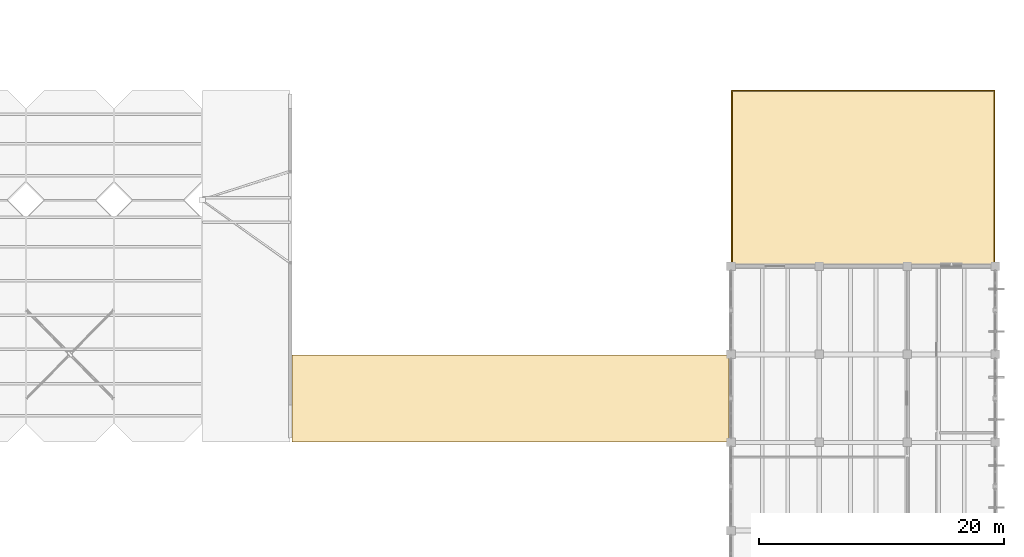
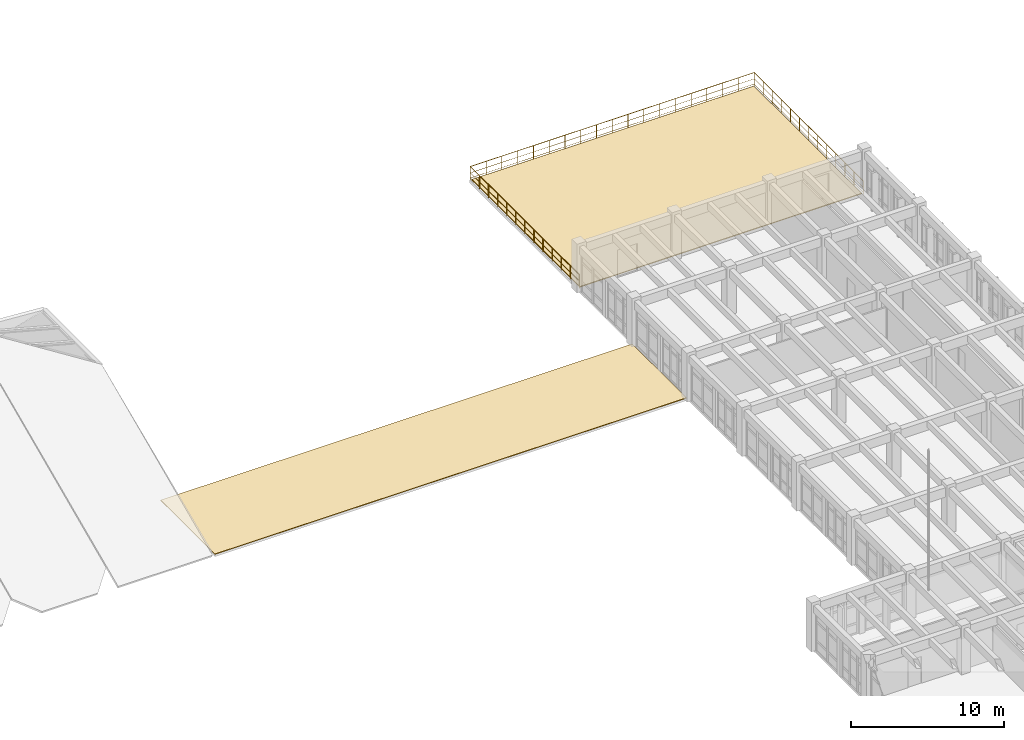
# One storey, part 54 of 54: 3 railings, 2 coverings.
"""IFC4 building model written with IfcOpenShell, lengths in metres."""

from ifc_helpers import new_model, si_unit, direction, frame, origin, origin_2d, place, context, subcontext, project, spatial, polyline, circle, outline, extrude, material, layer, layer_set, type_object, element, save


model = new_model("IFC4")

# Units and contexts
model_context = context("Model", 3, precision=1e-05, world=origin(), true_north=direction((0.0, 1.0)))
body_context = subcontext(model_context, "Body", "Model", "MODEL_VIEW")
ifc_project = project(units=[si_unit("LENGTHUNIT", "METRE"), si_unit("AREAUNIT", "SQUARE_METRE"), si_unit("VOLUMEUNIT", "CUBIC_METRE"), si_unit("PLANEANGLEUNIT", "RADIAN"), si_unit("MASSUNIT", "GRAM", prefix="KILO")], contexts=[model_context])

# Site, building, storey
site_placement = place(None, origin())
site = spatial("IfcSite", under=ifc_project, at=site_placement, CompositionType="ELEMENT")
building_placement = place(site_placement, origin())
building = spatial("IfcBuilding", under=site, at=building_placement, Name="Koriwan Promenade Central Fire Station", CompositionType="ELEMENT")
storey_placement = place(building_placement, frame((0.0, 0.0, 9.60009765625)))
storey = spatial("IfcBuildingStorey", under=building, at=storey_placement, Name="L02", CompositionType="ELEMENT", Elevation=9.60009765625)

# Coverings
ifc_material_1 = material(Name="Waterproofed xerophytic roof-garden drainage build-up", Category="membrane")
ifc_layer_1 = layer(ifc_material_1, 0.06005859375, Name="Waterproofed xerophytic roof-garden drainage build-up")
ifc_layer_set_1 = layer_set([ifc_layer_1], Name="Waterproofed xerophytic roof-garden drainage build-up")
covering_type_1 = type_object("IfcCoveringType", Name="RoofCovering_Garden", PredefinedType="ROOFING", material=ifc_layer_set_1)
covering_1_placement = place(storey_placement, origin())
element("IfcCovering", 1, at=covering_1_placement, inside=storey, type_object=covering_type_1, Name="North Headquarters Roof Garden waterproofed garden build-up", PredefinedType="ROOFING", context=body_context, shape_type="SweptSolid", body=[
    extrude(outline(polyline([(172.679931640625, 57.719970703125), (151.320068359375, 57.719970703125), (151.320068359375, 71.8798828125), (172.679931640625, 71.8798828125), (172.679931640625, 57.719970703125)])), origin(), (0.0, 0.0, 1.0), 0.059814453125),
])
ifc_material_2 = material(Name="Standing-seam terracotta-red coated aluminium roofing", Category="masonry")
ifc_layer_2 = layer(ifc_material_2, 0.044921875, Name="Standing-seam terracotta-red coated aluminium roofing")
ifc_layer_set_2 = layer_set([ifc_layer_2], Name="Standing-seam terracotta-red coated aluminium roofing")
covering_type_2 = type_object("IfcCoveringType", Name="RoofCovering_Terracotta", PredefinedType="ROOFING", material=ifc_layer_set_2)
covering_2_placement = place(storey_placement, origin())
element("IfcCovering", 2, at=covering_2_placement, inside=storey, type_object=covering_type_2, Name="East Transfer Link Bridge roof slab standing-seam covering", PredefinedType="ROOFING", context=body_context, shape_type="SweptSolid", body=[
    extrude(outline(polyline([(115.35009765625, 43.239990234375), (151.050048828125, 43.239990234375), (151.050048828125, 50.360107421875), (115.35009765625, 50.360107421875), (115.35009765625, 43.239990234375)])), origin(), (0.0, 0.0, 1.0), 0.044921875),
])

# Railings
ifc_material_3 = material(Name="Steel ASTM A500 Grade C", Category="steel")
ifc_layer_3 = layer(ifc_material_3, 0.06005859375, Name="Steel ASTM A500 Grade C")
ifc_layer_set_3 = layer_set([ifc_layer_3], Name="Steel ASTM A500 Grade C")
railing_type = type_object("IfcRailingType", Name="TerraceGuard_1100", PredefinedType="BALUSTRADE", material=ifc_layer_set_3)
railing_1_placement = place(storey_placement, frame((151.260009765625, 57.659912109375, 0.0)))
element("IfcRailing", 3, at=railing_1_placement, inside=storey, type_object=railing_type, Name="North Headquarters Roof Garden protective balustrade 014", PredefinedType="BALUSTRADE", context=body_context, shape_type="SweptSolid", body=[
    extrude(circle(Radius=0.02392578125, at=origin_2d()), frame((0.0, 0.0, 1.076171875), z_axis=(0.0, 1.0, 0.0), x_axis=(-1.0, 0.0, 0.0)), (0.0, 0.0, 1.0), 14.280029296875),
    extrude(circle(Radius=0.012939453125, at=origin_2d()), frame((0.0, 0.0, 0.572021484375), z_axis=(0.0, 1.0, 0.0), x_axis=(-1.0, 0.0, 0.0)), (0.0, 0.0, 1.0), 14.280029296875),
    extrude(circle(Radius=0.012939453125, at=origin_2d()), frame((0.0, 0.0, 0.154052734375), z_axis=(0.0, 1.0, 0.0), x_axis=(-1.0, 0.0, 0.0)), (0.0, 0.0, 1.0), 14.280029296875),
    extrude(circle(Radius=0.02099609375, at=origin_2d()), origin(), (0.0, 0.0, 1.0), 1.052001953125),
    extrude(circle(Radius=0.02099609375, at=origin_2d()), frame((0.0, 1.18994140625, 0.0)), (0.0, 0.0, 1.0), 1.052001953125),
    extrude(circle(Radius=0.02099609375, at=origin_2d()), frame((0.0, 2.3798828125, 0.0)), (0.0, 0.0, 1.0), 1.052001953125),
    extrude(circle(Radius=0.02099609375, at=origin_2d()), frame((0.0, 3.570068359375, 0.0)), (0.0, 0.0, 1.0), 1.052001953125),
    extrude(circle(Radius=0.02099609375, at=origin_2d()), frame((0.0, 4.760009765625, 0.0)), (0.0, 0.0, 1.0), 1.052001953125),
    extrude(circle(Radius=0.02099609375, at=origin_2d()), frame((0.0, 5.949951171875, 0.0)), (0.0, 0.0, 1.0), 1.052001953125),
    extrude(circle(Radius=0.02099609375, at=origin_2d()), frame((0.0, 7.14013671875, 0.0)), (0.0, 0.0, 1.0), 1.052001953125),
    extrude(circle(Radius=0.02099609375, at=origin_2d()), frame((0.0, 8.330078125, 0.0)), (0.0, 0.0, 1.0), 1.052001953125),
    extrude(circle(Radius=0.02099609375, at=origin_2d()), frame((0.0, 9.52001953125, 0.0)), (0.0, 0.0, 1.0), 1.052001953125),
    extrude(circle(Radius=0.02099609375, at=origin_2d()), frame((0.0, 10.7099609375, 0.0)), (0.0, 0.0, 1.0), 1.052001953125),
    extrude(circle(Radius=0.02099609375, at=origin_2d()), frame((0.0, 11.89990234375, 0.0)), (0.0, 0.0, 1.0), 1.052001953125),
    extrude(circle(Radius=0.02099609375, at=origin_2d()), frame((0.0, 13.090087890625, 0.0)), (0.0, 0.0, 1.0), 1.052001953125),
    extrude(circle(Radius=0.02099609375, at=origin_2d()), frame((0.0, 14.280029296875, 0.0)), (0.0, 0.0, 1.0), 1.052001953125),
])
railing_2_placement = place(storey_placement, frame((151.260009765625, 71.93994140625, 0.0)))
element("IfcRailing", 4, at=railing_2_placement, inside=storey, type_object=railing_type, Name="North Headquarters Roof Garden protective balustrade 015", PredefinedType="BALUSTRADE", context=body_context, shape_type="SweptSolid", body=[
    extrude(circle(Radius=0.02392578125, at=origin_2d()), frame((0.0, 0.0, 1.076171875), z_axis=(1.0, 0.0, 0.0), x_axis=(0.0, 1.0, 0.0)), (0.0, 0.0, 1.0), 21.47998046875),
    extrude(circle(Radius=0.012939453125, at=origin_2d()), frame((0.0, 0.0, 0.572021484375), z_axis=(1.0, 0.0, 0.0), x_axis=(0.0, 1.0, 0.0)), (0.0, 0.0, 1.0), 21.47998046875),
    extrude(circle(Radius=0.012939453125, at=origin_2d()), frame((0.0, 0.0, 0.154052734375), z_axis=(1.0, 0.0, 0.0), x_axis=(0.0, 1.0, 0.0)), (0.0, 0.0, 1.0), 21.47998046875),
    extrude(circle(Radius=0.02099609375, at=origin_2d()), origin(), (0.0, 0.0, 1.0), 1.052001953125),
    extrude(circle(Radius=0.02099609375, at=origin_2d()), frame((1.193359375, 0.0, 0.0)), (0.0, 0.0, 1.0), 1.052001953125),
    extrude(circle(Radius=0.02099609375, at=origin_2d()), frame((2.38671875, 0.0, 0.0)), (0.0, 0.0, 1.0), 1.052001953125),
    extrude(circle(Radius=0.02099609375, at=origin_2d()), frame((3.580078125, 0.0, 0.0)), (0.0, 0.0, 1.0), 1.052001953125),
    extrude(circle(Radius=0.02099609375, at=origin_2d()), frame((4.7734375, 0.0, 0.0)), (0.0, 0.0, 1.0), 1.052001953125),
    extrude(circle(Radius=0.02099609375, at=origin_2d()), frame((5.966552734375, 0.0, 0.0)), (0.0, 0.0, 1.0), 1.052001953125),
    extrude(circle(Radius=0.02099609375, at=origin_2d()), frame((7.159912109375, 0.0, 0.0)), (0.0, 0.0, 1.0), 1.052001953125),
    extrude(circle(Radius=0.02099609375, at=origin_2d()), frame((8.353271484375, 0.0, 0.0)), (0.0, 0.0, 1.0), 1.052001953125),
    extrude(circle(Radius=0.02099609375, at=origin_2d()), frame((9.546630859375, 0.0, 0.0)), (0.0, 0.0, 1.0), 1.052001953125),
    extrude(circle(Radius=0.02099609375, at=origin_2d()), frame((10.739990234375, 0.0, 0.0)), (0.0, 0.0, 1.0), 1.052001953125),
    extrude(circle(Radius=0.02099609375, at=origin_2d()), frame((11.933349609375, 0.0, 0.0)), (0.0, 0.0, 1.0), 1.052001953125),
    extrude(circle(Radius=0.02099609375, at=origin_2d()), frame((13.126708984375, 0.0, 0.0)), (0.0, 0.0, 1.0), 1.052001953125),
    extrude(circle(Radius=0.02099609375, at=origin_2d()), frame((14.320068359375, 0.0, 0.0)), (0.0, 0.0, 1.0), 1.052001953125),
    extrude(circle(Radius=0.02099609375, at=origin_2d()), frame((15.513427734375, 0.0, 0.0)), (0.0, 0.0, 1.0), 1.052001953125),
    extrude(circle(Radius=0.02099609375, at=origin_2d()), frame((16.70654296875, 0.0, 0.0)), (0.0, 0.0, 1.0), 1.052001953125),
    extrude(circle(Radius=0.02099609375, at=origin_2d()), frame((17.89990234375, 0.0, 0.0)), (0.0, 0.0, 1.0), 1.052001953125),
    extrude(circle(Radius=0.02099609375, at=origin_2d()), frame((19.09326171875, 0.0, 0.0)), (0.0, 0.0, 1.0), 1.052001953125),
    extrude(circle(Radius=0.02099609375, at=origin_2d()), frame((20.28662109375, 0.0, 0.0)), (0.0, 0.0, 1.0), 1.052001953125),
    extrude(circle(Radius=0.02099609375, at=origin_2d()), frame((21.47998046875, 0.0, 0.0)), (0.0, 0.0, 1.0), 1.052001953125),
])
railing_3_placement = place(storey_placement, frame((172.739990234375, 71.93994140625, 0.0)))
element("IfcRailing", 5, at=railing_3_placement, inside=storey, type_object=railing_type, Name="North Headquarters Roof Garden protective balustrade 016", PredefinedType="BALUSTRADE", context=body_context, shape_type="SweptSolid", body=[
    extrude(circle(Radius=0.02392578125, at=origin_2d()), frame((0.0, 0.0, 1.076171875), z_axis=(0.0, -1.0, 0.0), x_axis=(1.0, 0.0, 0.0)), (0.0, 0.0, 1.0), 14.280029296875),
    extrude(circle(Radius=0.012939453125, at=origin_2d()), frame((0.0, 0.0, 0.572021484375), z_axis=(0.0, -1.0, 0.0), x_axis=(1.0, 0.0, 0.0)), (0.0, 0.0, 1.0), 14.280029296875),
    extrude(circle(Radius=0.012939453125, at=origin_2d()), frame((0.0, 0.0, 0.154052734375), z_axis=(0.0, -1.0, 0.0), x_axis=(1.0, 0.0, 0.0)), (0.0, 0.0, 1.0), 14.280029296875),
    extrude(circle(Radius=0.02099609375, at=origin_2d()), origin(), (0.0, 0.0, 1.0), 1.052001953125),
    extrude(circle(Radius=0.02099609375, at=origin_2d()), frame((0.0, -1.18994140625, 0.0)), (0.0, 0.0, 1.0), 1.052001953125),
    extrude(circle(Radius=0.02099609375, at=origin_2d()), frame((0.0, -2.3798828125, 0.0)), (0.0, 0.0, 1.0), 1.052001953125),
    extrude(circle(Radius=0.02099609375, at=origin_2d()), frame((0.0, -3.570068359375, 0.0)), (0.0, 0.0, 1.0), 1.052001953125),
    extrude(circle(Radius=0.02099609375, at=origin_2d()), frame((0.0, -4.760009765625, 0.0)), (0.0, 0.0, 1.0), 1.052001953125),
    extrude(circle(Radius=0.02099609375, at=origin_2d()), frame((0.0, -5.949951171875, 0.0)), (0.0, 0.0, 1.0), 1.052001953125),
    extrude(circle(Radius=0.02099609375, at=origin_2d()), frame((0.0, -7.14013671875, 0.0)), (0.0, 0.0, 1.0), 1.052001953125),
    extrude(circle(Radius=0.02099609375, at=origin_2d()), frame((0.0, -8.330078125, 0.0)), (0.0, 0.0, 1.0), 1.052001953125),
    extrude(circle(Radius=0.02099609375, at=origin_2d()), frame((0.0, -9.52001953125, 0.0)), (0.0, 0.0, 1.0), 1.052001953125),
    extrude(circle(Radius=0.02099609375, at=origin_2d()), frame((0.0, -10.7099609375, 0.0)), (0.0, 0.0, 1.0), 1.052001953125),
    extrude(circle(Radius=0.02099609375, at=origin_2d()), frame((0.0, -11.89990234375, 0.0)), (0.0, 0.0, 1.0), 1.052001953125),
    extrude(circle(Radius=0.02099609375, at=origin_2d()), frame((0.0, -13.090087890625, 0.0)), (0.0, 0.0, 1.0), 1.052001953125),
    extrude(circle(Radius=0.02099609375, at=origin_2d()), frame((0.0, -14.280029296875, 0.0)), (0.0, 0.0, 1.0), 1.052001953125),
])

save(model, "model.ifc")
